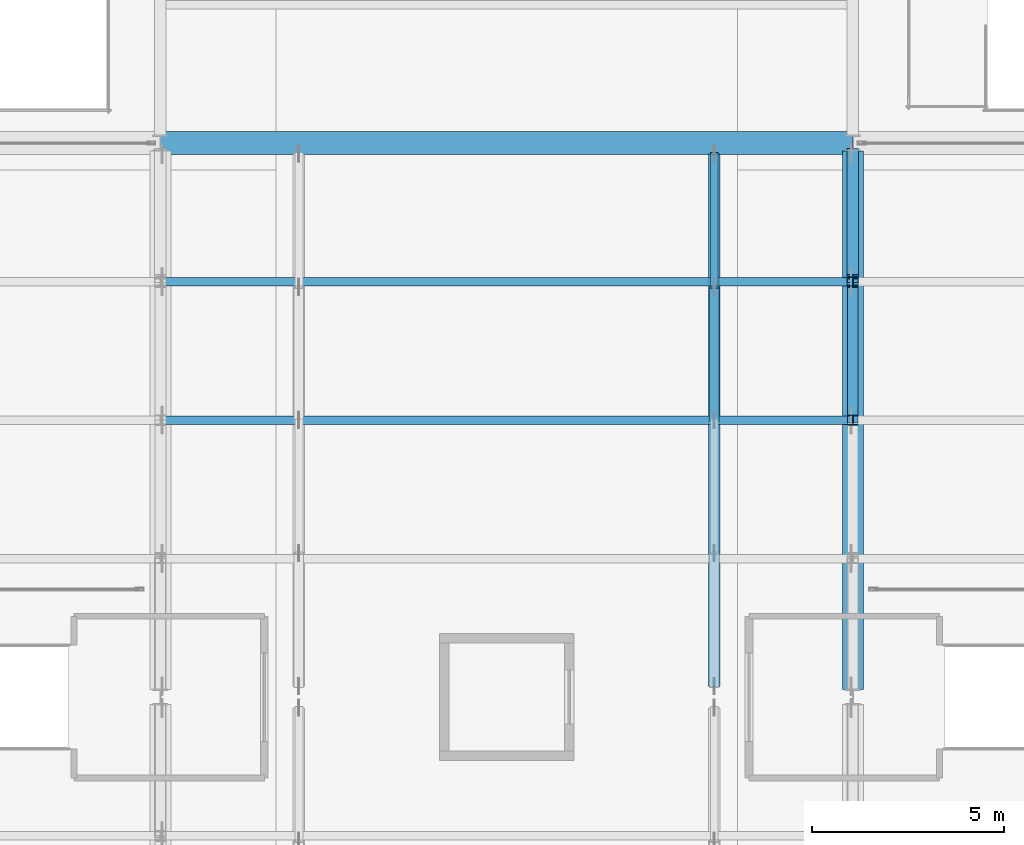
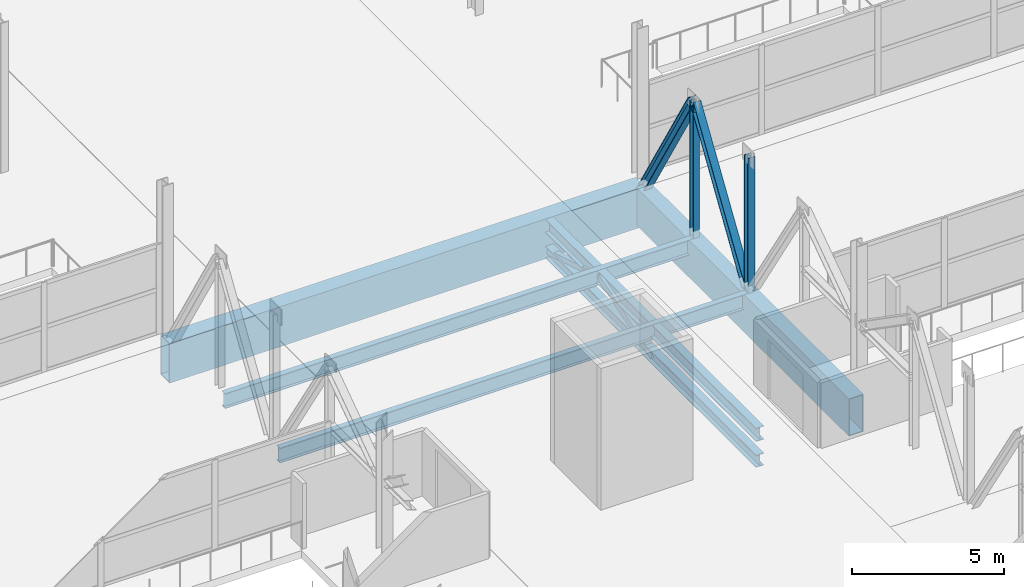
# One storey, part 104 of 191: 6 beams, 6 members.
"""IFC4 building model written with IfcOpenShell, lengths in metres."""

from ifc_helpers import new_model, si_unit, direction, frame, origin, origin_2d, place, context, subcontext, project, spatial, hollow_rectangle, i_section, extrude, material, material_profile, profile_set, type_object, element, save


model = new_model("IFC4")

# Units and contexts
model_context = context("Model", 3, precision=1e-05, world=origin(), true_north=direction((0.0, 1.0)))
body_context = subcontext(model_context, "Body", "Model", "MODEL_VIEW")
ifc_project = project(units=[si_unit("LENGTHUNIT", "METRE"), si_unit("AREAUNIT", "SQUARE_METRE"), si_unit("VOLUMEUNIT", "CUBIC_METRE"), si_unit("PLANEANGLEUNIT", "RADIAN"), si_unit("MASSUNIT", "GRAM", prefix="KILO")], contexts=[model_context])

# Site, building, storey
site_placement = place(None, origin())
site = spatial("IfcSite", under=ifc_project, at=site_placement, CompositionType="ELEMENT")
building_placement = place(site_placement, origin())
building = spatial("IfcBuilding", under=site, at=building_placement, Name="Tamarisk Ironworks Central Station", CompositionType="ELEMENT")
storey_placement = place(building_placement, frame((0.0, 0.0, 6.60009765625)))
storey = spatial("IfcBuildingStorey", under=building, at=storey_placement, Name="L01", CompositionType="ELEMENT", Elevation=6.60009765625)

# Beams
ifc_material_1 = material(Name="Structural steel S355J2", Category="steel")
ifc_material_profile_1 = material_profile(ifc_material_1, i_section(OverallWidth=0.219970703125, OverallDepth=0.60009765625, WebThickness=0.011962890625, FlangeThickness=0.01904296875, at=origin_2d()), Name="IPE 600")
ifc_profile_set_1 = profile_set([ifc_material_profile_1], Name="Structural steel S355J2")
beam_type_1 = type_object("IfcBeamType", Name="BM-B01", PredefinedType="BEAM", material=ifc_profile_set_1)
for number, where, z_axis, x_axis, name in (
    (1, (72.135009765625, 72.0, -0.60009765625), (1.0, 0.0, 0.0), (0.0, 1.0, 0.0), "L01 secondary composite beam 0025"),
    (2, (72.135009765625, 75.60009765625, -0.60009765625), (1.0, 0.0, 0.0), (0.0, 1.0, 0.0), "L01 secondary composite beam 0026"),
):
    element("IfcBeam", number, at=place(storey_placement, frame(where, z_axis=z_axis, x_axis=x_axis)), inside=storey, type_object=beam_type_1, Name=name, PredefinedType="BEAM", context=body_context, shape_type="SweptSolid", body=[
        extrude(i_section(OverallWidth=0.219970703125, OverallDepth=0.60009765625, WebThickness=0.011962890625, FlangeThickness=0.01904296875, at=origin_2d()), origin(), (0.0, 0.0, 1.0), 17.72998046875),
    ])
ifc_material_profile_2 = material_profile(ifc_material_1, i_section(OverallWidth=0.300048828125, OverallDepth=0.5400390625, WebThickness=0.012451171875, FlangeThickness=0.02392578125, at=origin_2d()), Name="HEA 550")
ifc_profile_set_2 = profile_set([ifc_material_profile_2], Name="Structural steel S355J2")
beam_type_2 = type_object("IfcBeamType", Name="BM-G04", PredefinedType="BEAM", material=ifc_profile_set_2)
beam_1_placement = place(storey_placement, frame((86.39990234375, 65.080078125, -0.580078125), z_axis=(0.0, 1.0, 0.0), x_axis=(-1.0, 0.0, 0.0)))
element("IfcBeam", 3, at=beam_1_placement, inside=storey, type_object=beam_type_2, Name="Bridge deck transfer stiffening chord 180", PredefinedType="BEAM", context=body_context, shape_type="SweptSolid", body=[
    extrude(i_section(OverallWidth=0.300048828125, OverallDepth=0.5400390625, WebThickness=0.012451171875, FlangeThickness=0.02392578125, at=origin_2d()), origin(), (0.0, 0.0, 1.0), 13.83984375),
])
ifc_material_profile_3 = material_profile(ifc_material_1, i_section(OverallWidth=0.300048828125, OverallDepth=0.489990234375, WebThickness=0.011962890625, FlangeThickness=0.02294921875, at=origin_2d()), Name="HEA 500")
ifc_profile_set_3 = profile_set([ifc_material_profile_3], Name="Structural steel S355J2")
beam_type_3 = type_object("IfcBeamType", Name="BM-G05", PredefinedType="BEAM", material=ifc_profile_set_3)
beam_2_placement = place(storey_placement, frame((86.39990234375, 65.080078125, -1.64013671875), z_axis=(0.0, 1.0, 0.0), x_axis=(-1.0, 0.0, 0.0)))
element("IfcBeam", 4, at=beam_2_placement, inside=storey, type_object=beam_type_3, Name="Bridge deck transfer stiffening chord 179", PredefinedType="BEAM", context=body_context, shape_type="SweptSolid", body=[
    extrude(i_section(OverallWidth=0.300048828125, OverallDepth=0.489990234375, WebThickness=0.011962890625, FlangeThickness=0.02294921875, at=origin_2d()), origin(), (0.0, 0.0, 1.0), 13.83984375),
])
ifc_material_profile_4 = material_profile(ifc_material_1, hollow_rectangle(XDim=0.60009765625, YDim=1.60009765625, WallThickness=0.031982421875, at=origin_2d()), Name="BOX 600x1600x32")
ifc_profile_set_4 = profile_set([ifc_material_profile_4], Name="Structural steel S355J2")
beam_type_4 = type_object("IfcBeamType", Name="BM-TG01", PredefinedType="USERDEFINED", material=ifc_profile_set_4)
beam_3_placement = place(storey_placement, frame((72.00390625, 79.199951171875, -1.10009765625), z_axis=(1.0, 0.0, 0.0), x_axis=(0.0, 1.0, 0.0)))
element("IfcBeam", 5, at=beam_3_placement, inside=storey, type_object=beam_type_4, Name="L01 primary girder X-0085", ObjectType="TRANSFER GIRDER", PredefinedType="USERDEFINED", context=body_context, shape_type="SweptSolid", body=[
    extrude(hollow_rectangle(XDim=0.60009765625, YDim=1.60009765625, WallThickness=0.031982421875, at=origin_2d()), origin(), (0.0, 0.0, 1.0), 17.9921875),
])
ifc_material_profile_5 = material_profile(ifc_material_1, hollow_rectangle(XDim=0.550048828125, YDim=1.5, WallThickness=0.028076171875, at=origin_2d()), Name="BOX 550x1500x28")
ifc_profile_set_5 = profile_set([ifc_material_profile_5], Name="Structural steel S355J2")
beam_type_5 = type_object("IfcBeamType", Name="BM-TG02", PredefinedType="USERDEFINED", material=ifc_profile_set_5)
beam_4_placement = place(storey_placement, frame((90.0, 65.00048828125, -1.050048828125), z_axis=(0.0, 1.0, 0.0), x_axis=(-1.0, 0.0, 0.0)))
element("IfcBeam", 6, at=beam_4_placement, inside=storey, type_object=beam_type_5, Name="L01 primary girder Y-0227", ObjectType="TRANSFER GIRDER", PredefinedType="USERDEFINED", context=body_context, shape_type="SweptSolid", body=[
    extrude(hollow_rectangle(XDim=0.550048828125, YDim=1.5, WallThickness=0.028076171875, at=origin_2d()), origin(), (0.0, 0.0, 1.0), 13.9990234375),
])

# Members
ifc_material_2 = material(Name="Structural steel S355J2H", Category="steel")
ifc_material_profile_6 = material_profile(ifc_material_2, hollow_rectangle(XDim=0.25, YDim=0.25, WallThickness=0.012451171875, at=origin_2d()), Name="SHS 250x250x12.5")
ifc_profile_set_6 = profile_set([ifc_material_profile_6], Name="Structural steel S355J2H")
member_type_1 = type_object("IfcMemberType", Name="MB-BR01", PredefinedType="BRACE", material=ifc_profile_set_6)
member_1_placement = place(storey_placement, frame((86.39990234375, 72.0, -1.64013671875), z_axis=(0.0, 0.956131332595, 0.292938346467), x_axis=(-1.0, 0.0, 0.0)))
element("IfcMember", 7, at=member_1_placement, inside=storey, type_object=member_type_1, Name="Bridge deck stiffening web brace 183", PredefinedType="BRACE", context=body_context, shape_type="SweptSolid", body=[
    extrude(hollow_rectangle(XDim=0.25, YDim=0.25, WallThickness=0.012451171875, at=origin_2d()), origin(), (0.0, 0.0, 1.0), 3.61865234375),
])
ifc_material_profile_7 = material_profile(ifc_material_2, hollow_rectangle(XDim=0.199951171875, YDim=0.199951171875, WallThickness=0.010009765625, at=origin_2d()), Name="SHS 200x200x10")
ifc_profile_set_7 = profile_set([ifc_material_profile_7], Name="Structural steel S355J2H")
member_type_2 = type_object("IfcMemberType", Name="MB-BR02", PredefinedType="BRACE", material=ifc_profile_set_7)
member_2_placement = place(storey_placement, frame((86.39990234375, 75.4599609375, -0.580078125), z_axis=(0.0, 0.956131332595, -0.292938346467), x_axis=(-1.0, 0.0, 0.0)))
element("IfcMember", 8, at=member_2_placement, inside=storey, type_object=member_type_2, Name="Bridge deck stiffening web brace 184", PredefinedType="BRACE", context=body_context, shape_type="SweptSolid", body=[
    extrude(hollow_rectangle(XDim=0.199951171875, YDim=0.199951171875, WallThickness=0.010009765625, at=origin_2d()), origin(), (0.0, 0.0, 1.0), 3.61865234375),
])
ifc_material_profile_8 = material_profile(ifc_material_1, i_section(OverallWidth=0.300048828125, OverallDepth=0.340087890625, WebThickness=0.011962890625, FlangeThickness=0.021484375, at=origin_2d()), Name="HEB 340")
ifc_profile_set_8 = profile_set([ifc_material_profile_8], Name="Structural steel S355J2")
member_type_3 = type_object("IfcMemberType", Name="MB-TTD01", PredefinedType="BRACE", material=ifc_profile_set_8)
member_3_placement = place(storey_placement, frame((90.0, 75.639892578125, 5.119873046875), z_axis=(0.0, 0.512200847378, -0.858865700762), x_axis=(-1.0, 0.0, 0.0)))
element("IfcMember", 9, at=member_3_placement, inside=storey, type_object=member_type_3, Name="Transfer truss diagonal 083", PredefinedType="BRACE", context=body_context, shape_type="SweptSolid", body=[
    extrude(i_section(OverallWidth=0.300048828125, OverallDepth=0.340087890625, WebThickness=0.011962890625, FlangeThickness=0.021484375, at=origin_2d()), origin(), (0.0, 0.0, 1.0), 6.40380859375),
])
ifc_material_profile_9 = material_profile(ifc_material_1, i_section(OverallWidth=0.280029296875, OverallDepth=0.280029296875, WebThickness=0.010498046875, FlangeThickness=0.01806640625, at=origin_2d()), Name="HEB 280")
ifc_profile_set_9 = profile_set([ifc_material_profile_9], Name="Structural steel S355J2")
member_type_4 = type_object("IfcMemberType", Name="MB-TTD02", PredefinedType="BRACE", material=ifc_profile_set_9)
member_4_placement = place(storey_placement, frame((90.0, 72.0400390625, -0.380126953125), z_axis=(0.0, 0.539055818311, 0.842270042649), x_axis=(-1.0, 0.0, 0.0)))
element("IfcMember", 10, at=member_4_placement, inside=storey, type_object=member_type_4, Name="Transfer truss diagonal 081", PredefinedType="BRACE", context=body_context, shape_type="SweptSolid", body=[
    extrude(i_section(OverallWidth=0.280029296875, OverallDepth=0.280029296875, WebThickness=0.010498046875, FlangeThickness=0.01806640625, at=origin_2d()), origin(), (0.0, 0.0, 1.0), 6.530029296875),
])
ifc_material_profile_10 = material_profile(ifc_material_1, i_section(OverallWidth=0.260009765625, OverallDepth=0.260009765625, WebThickness=0.010009765625, FlangeThickness=0.017578125, at=origin_2d()), Name="HEB 260")
ifc_profile_set_10 = profile_set([ifc_material_profile_10], Name="Structural steel S355J2")
member_type_5 = type_object("IfcMemberType", Name="MB-TTP01", PredefinedType="POST", material=ifc_profile_set_10)
member_5_placement = place(storey_placement, frame((90.0, 72.0, -0.340087890625), z_axis=(0.0, 0.0, 1.0), x_axis=(1.0, 0.0, 0.0)))
element("IfcMember", 11, at=member_5_placement, inside=storey, type_object=member_type_5, Name="Transfer truss vertical post 082", PredefinedType="POST", context=body_context, shape_type="SweptSolid", body=[
    extrude(i_section(OverallWidth=0.260009765625, OverallDepth=0.260009765625, WebThickness=0.010009765625, FlangeThickness=0.017578125, at=origin_2d()), origin(), (0.0, 0.0, 1.0), 5.4599609375),
])
ifc_material_profile_11 = material_profile(ifc_material_1, i_section(OverallWidth=0.239990234375, OverallDepth=0.239990234375, WebThickness=0.010009765625, FlangeThickness=0.01708984375, at=origin_2d()), Name="HEB 240")
ifc_profile_set_11 = profile_set([ifc_material_profile_11], Name="Structural steel S355J2")
member_type_6 = type_object("IfcMemberType", Name="MB-TTP02", PredefinedType="POST", material=ifc_profile_set_11)
member_6_placement = place(storey_placement, frame((90.0, 75.60009765625, -0.340087890625), z_axis=(0.0, 0.0, 1.0), x_axis=(1.0, 0.0, 0.0)))
element("IfcMember", 12, at=member_6_placement, inside=storey, type_object=member_type_6, Name="Transfer truss vertical post 084", PredefinedType="POST", context=body_context, shape_type="SweptSolid", body=[
    extrude(i_section(OverallWidth=0.239990234375, OverallDepth=0.239990234375, WebThickness=0.010009765625, FlangeThickness=0.01708984375, at=origin_2d()), origin(), (0.0, 0.0, 1.0), 5.4599609375),
])

save(model, "model.ifc")
